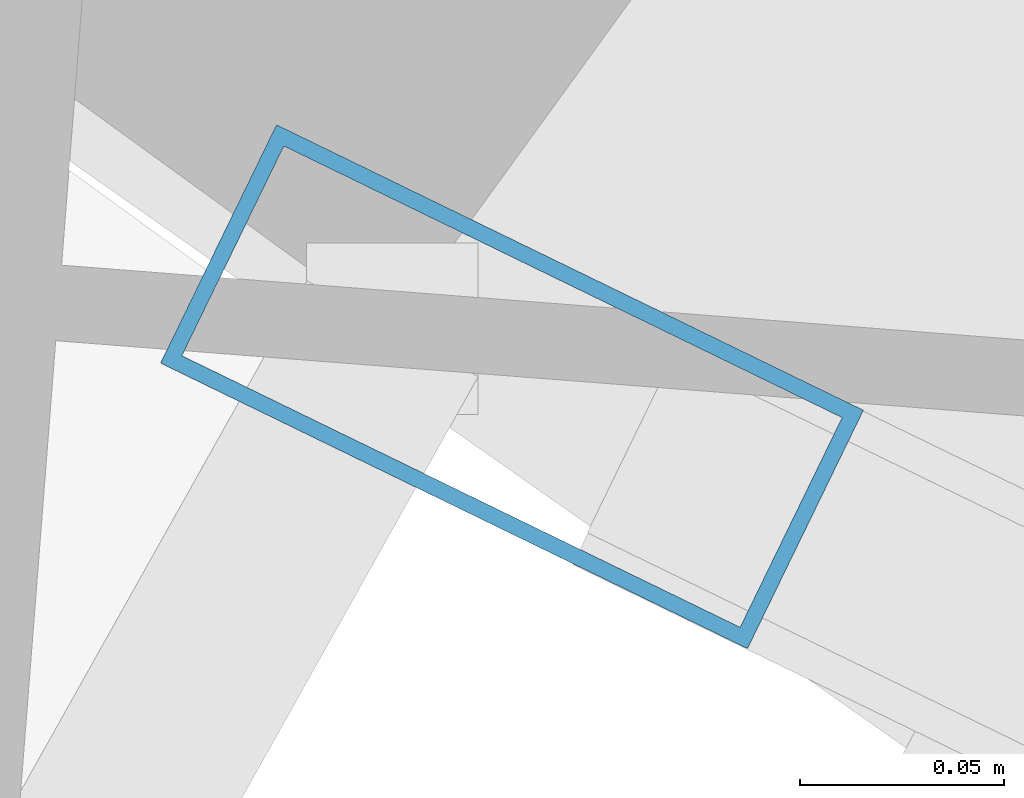
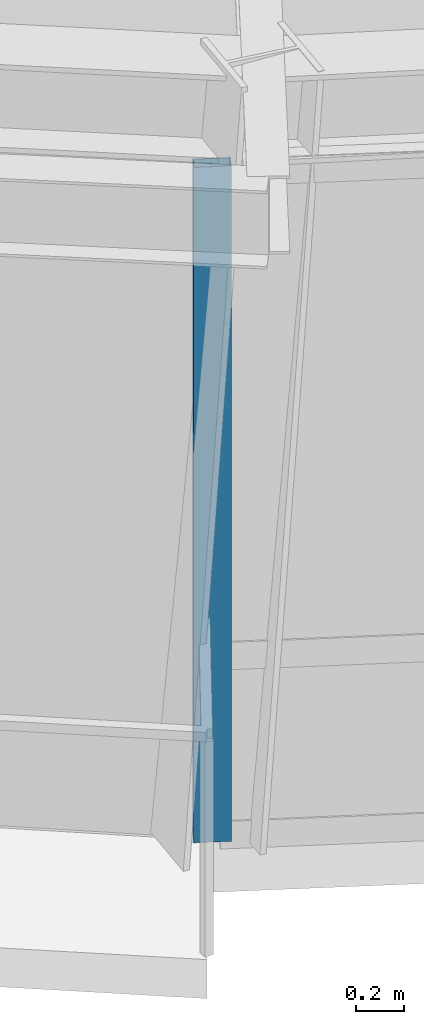
# One storey, part 2 of 22: 1 member, 1 element without a shape of its own.
"""IFC4 building model written with IfcOpenShell, lengths in metres."""

from ifc_helpers import new_model, si_unit, direction, frame, origin, origin_2d, place, context, subcontext, project, spatial, hollow_rectangle, extrude, source, transform, mapped, material, material_profile, profile_set, type_object, element, aggregate, save


model = new_model("IFC4")

# Units and contexts
model_context = context("Model", 3, precision=1e-05, world=origin(), true_north=direction((0.0, 1.0)))
body_context = subcontext(model_context, "Body", "Model", "MODEL_VIEW")
ifc_project = project(units=[si_unit("LENGTHUNIT", "METRE"), si_unit("AREAUNIT", "SQUARE_METRE"), si_unit("VOLUMEUNIT", "CUBIC_METRE"), si_unit("PLANEANGLEUNIT", "RADIAN"), si_unit("MASSUNIT", "GRAM", prefix="KILO")], contexts=[model_context])

# Site, building, storey
site_placement = place(None, origin())
site = spatial("IfcSite", under=ifc_project, at=site_placement, CompositionType="ELEMENT")
building_placement = place(site_placement, origin())
building = spatial("IfcBuilding", under=site, at=building_placement, Name="Olszyna Solenne Hotel", CompositionType="ELEMENT")
storey_placement = place(building_placement, frame((0.0, 0.0, 281.89990234375)))
storey = spatial("IfcBuildingStorey", under=building, at=storey_placement, Name="L75", CompositionType="ELEMENT", Elevation=281.89990234375)

# Curtain wall, member
ifc_material = material(Name="Anodised bronze aluminium", Category="aluminium")
curtain_wall_type = type_object("IfcCurtainWallType", Name="CW-SYS-7", PredefinedType="NOTDEFINED", material=ifc_material)
curtain_wall_placement = place(storey_placement, origin())
curtain_wall = element("IfcCurtainWall", 1, at=curtain_wall_placement, inside=storey, type_object=curtain_wall_type, Name="Unitised curtain wall CW-SYS-7 CW-L75-01", PredefinedType="NOTDEFINED")
ifc_material_profile = material_profile(ifc_material, hollow_rectangle(XDim=0.06494140625, YDim=0.159912109375, WallThickness=0.00390625, at=origin_2d()), Name="MULL 160x65x4", Category="load-bearing")
ifc_profile_set = profile_set([ifc_material_profile], Name="Anodised bronze aluminium")
member_type = type_object("IfcMemberType", Name="CW-M3", PredefinedType="MULLION", material=ifc_profile_set)
shared_shape = source(origin(), body_context, "Body", "SweptSolid", [
    extrude(hollow_rectangle(XDim=0.06494140625, YDim=0.159912109375, WallThickness=0.00390625, at=origin_2d()), origin(), (0.0, 0.0, 1.0), 3.462158203125),
])
member_placement = place(storey_placement, frame((30.27734375, 12.849365234375, 0.0), z_axis=(0.0, 0.0, 1.0), x_axis=(0.437386807996, 0.899273473528, 0.0)))
member = element("IfcMember", 2, at=member_placement, type_object=member_type, Name="Curtain-wall mullion CW-M3 CM-L75-01-01", PredefinedType="MULLION", context=body_context, shape_type="MappedRepresentation", body=[
    mapped(shared_shape, transform((0.0, 0.0, 0.0), x_axis=(1.0, 0.0, 0.0), y_axis=(0.0, 1.0, 0.0), z_axis=(0.0, 0.0, 1.0), scale=1.0)),
])
aggregate(curtain_wall, [member])

save(model, "model.ifc")
